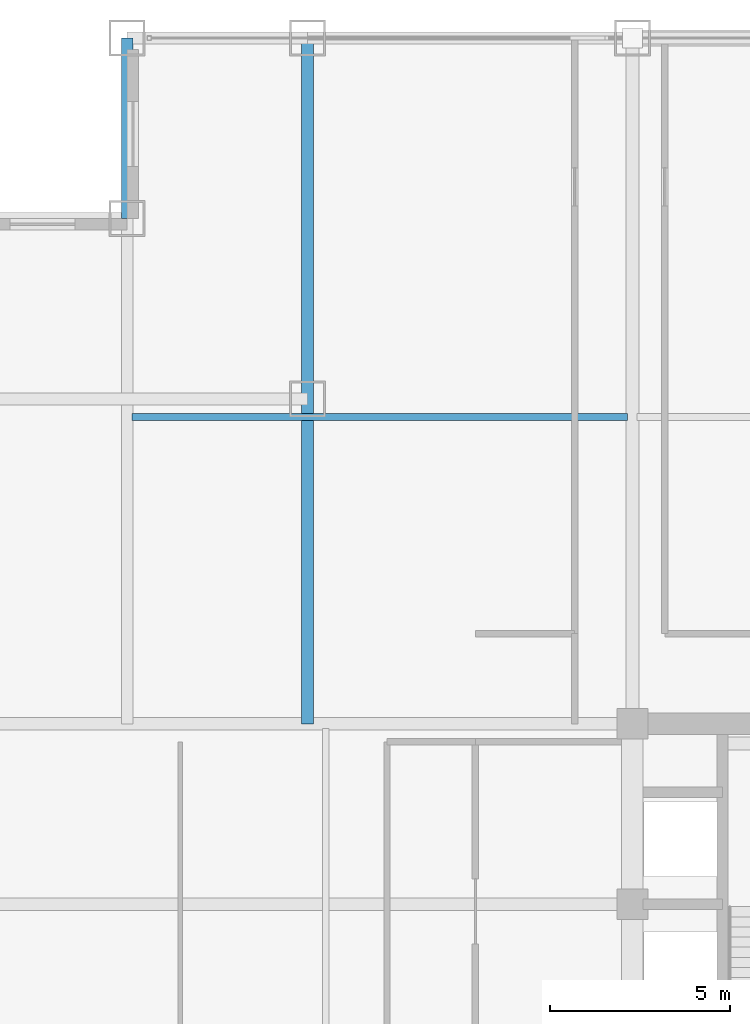
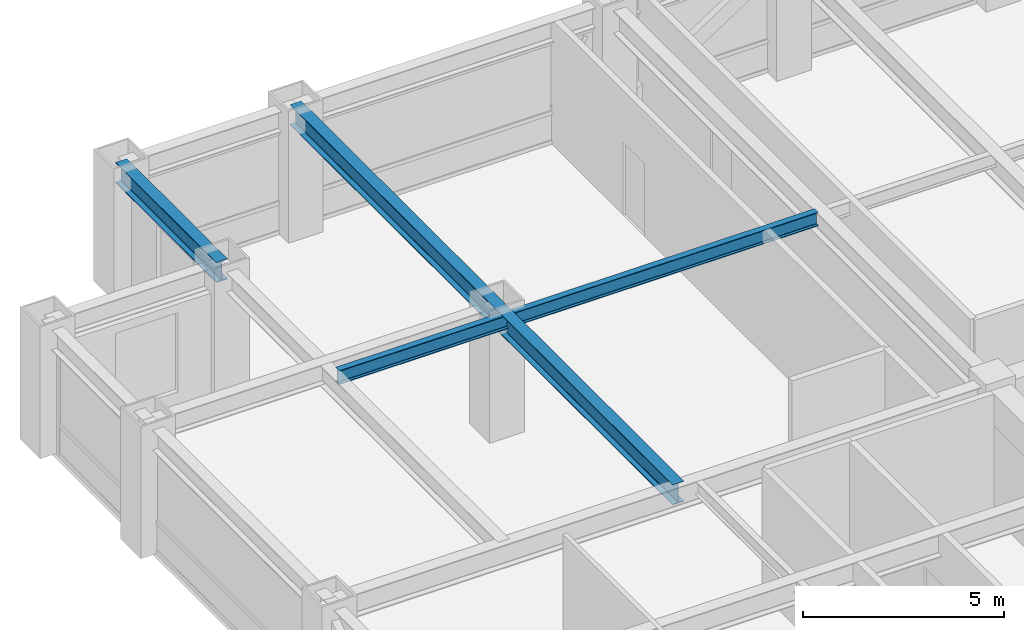
# One storey, part 13 of 24: 3 beams.
"""IFC4 building model written with IfcOpenShell, lengths in metres."""

import ifcopenshell
import ifcopenshell.guid

model = None  # the IFC model being written
_history = None  # IfcOwnerHistory: only IFC2X3 demands one
_inside = {}  # id of a spatial element -> (the spatial element, [elements in it])
_under = {}  # id of a project, library or spatial element -> (it, [spatial elements below it])
_declared = {}  # id of a project -> (the project, [libraries it declares])
_typed = {}  # id of a type object -> (the type object, [elements of that type])
_made_of = {}  # id of a material, layer set ... -> (it, [elements and type objects made of it])


def new_model(schema):
    """Start an empty IFC model of exactly this schema.

    Asked for "IFC4X3", IfcOpenShell would pick the latest addendum, in which some entities
    have other attributes; the version numbers below select the first issue.
    IFC2X3 requires an IfcOwnerHistory on every rooted entity: one is made here for all.
    """
    global model, _history
    if schema == "IFC4X3":
        model = ifcopenshell.file(schema_version=(4, 3, 0, 0))
    else:
        model = ifcopenshell.file(schema=schema)
    _inside.clear()
    _under.clear()
    _declared.clear()
    _typed.clear()
    _made_of.clear()
    _history = None
    if model.schema == "IFC2X3":
        org = make("IfcOrganization", Name="unknown")
        user = make(
            "IfcPersonAndOrganization",
            ThePerson=make("IfcPerson", FamilyName="unknown"),
            TheOrganization=org,
        )
        app = make(
            "IfcApplication",
            ApplicationDeveloper=org,
            Version="unknown",
            ApplicationFullName="unknown",
            ApplicationIdentifier="unknown",
        )
        _history = make(
            "IfcOwnerHistory",
            OwningUser=user,
            OwningApplication=app,
            ChangeAction="ADDED",
            CreationDate=0,
        )
    return model


def make(cls, **values):
    """One entity of the class cls with the attributes given. An attribute that is None is left unset."""
    return model.create_entity(
        cls, **{name: value for name, value in values.items() if value is not None}
    )


def rooted(cls, **values):
    """An entity with a GlobalId (a new one), such as an element, a storey or a relation."""
    return make(cls, GlobalId=ifcopenshell.guid.new(), OwnerHistory=_history, **values)


def si_unit(unit_type, name, prefix=None):
    """IfcSIUnit, for example si_unit("LENGTHUNIT", "METRE", prefix="MILLI")."""
    return make("IfcSIUnit", UnitType=unit_type, Prefix=prefix, Name=name)


def assignment(units):
    """IfcUnitAssignment: the units of a project."""
    return None if units is None else make("IfcUnitAssignment", Units=units)


def point(xyz):
    """IfcCartesianPoint."""
    return None if xyz is None else make("IfcCartesianPoint", Coordinates=xyz)


def direction(xyz):
    """IfcDirection."""
    return None if xyz is None else make("IfcDirection", DirectionRatios=xyz)


def frame(location, z_axis=None, x_axis=None):
    """IfcAxis2Placement3D, a coordinate frame: its origin and axes. An axis left out is left unset."""
    return make(
        "IfcAxis2Placement3D",
        Location=point(location),
        Axis=direction(z_axis),
        RefDirection=direction(x_axis),
    )


def frame_2d(location, x_axis=None):
    """IfcAxis2Placement2D, a coordinate frame in the plane: its origin and x axis."""
    return make(
        "IfcAxis2Placement2D", Location=point(location), RefDirection=direction(x_axis)
    )


def origin():
    """The frame at (0, 0, 0) with its axes left unset."""
    return frame((0.0, 0.0, 0.0))


def origin_2d():
    """The frame at (0, 0) in the plane with its x axis left unset."""
    return frame_2d((0.0, 0.0))


def place(relative_to, where):
    """IfcLocalPlacement: puts the frame where relative to a parent placement (None: the world)."""
    return make(
        "IfcLocalPlacement", PlacementRelTo=relative_to, RelativePlacement=where
    )


def context(
    kind, dimensions, precision=None, world=None, true_north=None, identifier=None
):
    """IfcGeometricRepresentationContext, for example the 3D "Model" context."""
    return make(
        "IfcGeometricRepresentationContext",
        ContextIdentifier=identifier,
        ContextType=kind,
        CoordinateSpaceDimension=dimensions,
        Precision=precision,
        WorldCoordinateSystem=world,
        TrueNorth=true_north,
    )


def subcontext(parent, identifier, kind, view, scale=None):
    """IfcGeometricRepresentationSubContext, for example "Body" below "Model"."""
    return make(
        "IfcGeometricRepresentationSubContext",
        ContextIdentifier=identifier,
        ContextType=kind,
        ParentContext=parent,
        TargetScale=scale,
        TargetView=view,
    )


def project(units=None, contexts=None):
    """IfcProject with its units and contexts."""
    return rooted(
        "IfcProject",
        Name="project",
        RepresentationContexts=contexts,
        UnitsInContext=assignment(units),
    )


def spatial(cls, under=None, at=None, **own):
    """A site, building, storey or space (cls), placed at a placement, below another one or the project."""
    s = rooted(cls, ObjectPlacement=at, **own)
    if under is not None:
        _under.setdefault(under.id(), (under, []))[1].append(s)
    return s


def profile(cls, at=None, kind="AREA", **sizes):
    """A parametric profile (cls). Its sizes go by their IFC names, for example OverallWidth=200.0."""
    return make(cls, ProfileType=kind, Position=at, **sizes)


def i_section(**sizes):
    """IfcIShapeProfileDef."""
    return profile("IfcIShapeProfileDef", **sizes)


def extrude(swept, where, along, depth):
    """IfcExtrudedAreaSolid: the profile swept, set in the frame where, extruded along a direction by depth."""
    return make(
        "IfcExtrudedAreaSolid",
        SweptArea=swept,
        Position=where,
        ExtrudedDirection=direction(along),
        Depth=depth,
    )


def shape(context_of_items, identifier, shape_type, items):
    """IfcShapeRepresentation: the items that make up one representation, for example the "Body"."""
    return make(
        "IfcShapeRepresentation",
        ContextOfItems=context_of_items,
        RepresentationIdentifier=identifier,
        RepresentationType=shape_type,
        Items=items,
    )


def source(mapping_origin, context_of_items, identifier, shape_type, items):
    """IfcRepresentationMap: a shape defined once, which mapped items show again and again."""
    return make(
        "IfcRepresentationMap",
        MappingOrigin=mapping_origin,
        MappedRepresentation=shape(context_of_items, identifier, shape_type, items),
    )


def transform(
    local_origin,
    x_axis=None,
    y_axis=None,
    z_axis=None,
    scale=None,
    scale2=None,
    scale3=None,
    uniform=True,
):
    """IfcCartesianTransformationOperator3D, or its non-uniform kind. x_axis, y_axis, z_axis: its Axis1, 2, 3."""
    if uniform:
        return make(
            "IfcCartesianTransformationOperator3D",
            Axis1=direction(x_axis),
            Axis2=direction(y_axis),
            LocalOrigin=point(local_origin),
            Scale=scale,
            Axis3=direction(z_axis),
        )
    return make(
        "IfcCartesianTransformationOperator3DnonUniform",
        Axis1=direction(x_axis),
        Axis2=direction(y_axis),
        LocalOrigin=point(local_origin),
        Scale=scale,
        Axis3=direction(z_axis),
        Scale2=scale2,
        Scale3=scale3,
    )


def mapped(mapping_source, mapping_target):
    """IfcMappedItem: shows the shape of a source again, moved by a transform."""
    return make(
        "IfcMappedItem", MappingSource=mapping_source, MappingTarget=mapping_target
    )


def material(Name=None, Category=None):
    """IfcMaterial."""
    return make("IfcMaterial", Name=Name, Category=Category)


def material_profile(
    of_material, cross_section, Name=None, Category=None, Priority=None
):
    """IfcMaterialProfile: a cross section and its material."""
    return make(
        "IfcMaterialProfile",
        Name=Name,
        Material=of_material,
        Profile=cross_section,
        Priority=Priority,
        Category=Category,
    )


def profile_set(profiles, Name=None, composite=None):
    """IfcMaterialProfileSet."""
    return make(
        "IfcMaterialProfileSet",
        Name=Name,
        MaterialProfiles=profiles,
        CompositeProfile=composite,
    )


def made_of(thing, what):
    """Note that an element or type object is made of a material, layer set ...; save() writes the relation."""
    if what is not None:
        _made_of.setdefault(what.id(), (what, []))[1].append(thing)
    return thing


def type_object(cls, material=None, **own):
    """A type object (cls), such as IfcWallType, which elements share."""
    return made_of(rooted(cls, **own), material)


def element(
    cls,
    number,
    at=None,
    inside=None,
    cuts=None,
    type_object=None,
    material=None,
    context=None,
    identifier="Body",
    shape_type=None,
    held_by="IfcProductDefinitionShape",
    body=None,
    shapes=None,
    **own,
):
    """One element of the class cls, such as IfcWall. Its Tag is "e" and its number.

    at: its placement. inside: the storey or other place that contains it. cuts: it is an
    opening in that element (IfcRelVoidsElement). A single representation is given by context,
    identifier, shape_type and body (its items); several are given by shapes. held_by: the class
    of the entity that holds the representations. save() writes the other relations.
    """
    e = rooted(cls, Tag="e%d" % number, ObjectPlacement=at, **own)
    if body is not None:
        shapes = [shape(context, identifier, shape_type, body)]
    if shapes is not None:
        e.Representation = make(held_by, Representations=shapes)
    if inside is not None:
        _inside.setdefault(inside.id(), (inside, []))[1].append(e)
    if cuts is not None:
        rooted(
            "IfcRelVoidsElement", RelatingBuildingElement=cuts, RelatedOpeningElement=e
        )
    if type_object is not None:
        _typed.setdefault(type_object.id(), (type_object, []))[1].append(e)
    return made_of(e, material)


def aggregate(whole, parts):
    """IfcRelAggregates: a whole, such as a stair, and the parts it consists of."""
    return rooted("IfcRelAggregates", RelatingObject=whole, RelatedObjects=parts)


def save(model, path):
    """Write the relations noted so far, then the file.

    IfcRelAggregates (storeys below a building ...), IfcRelContainedInSpatialStructure (elements
    in a storey), IfcRelDefinesByType, IfcRelAssociatesMaterial and IfcRelDeclares: one each for
    every whole, place, type object, material and project.
    """
    for whole, parts in _under.values():
        aggregate(whole, parts)
    for where, things in _inside.values():
        rooted(
            "IfcRelContainedInSpatialStructure",
            RelatedElements=things,
            RelatingStructure=where,
        )
    for kind, things in _typed.values():
        rooted("IfcRelDefinesByType", RelatedObjects=things, RelatingType=kind)
    for what, things in _made_of.values():
        rooted("IfcRelAssociatesMaterial", RelatedObjects=things, RelatingMaterial=what)
    for by, libraries in _declared.values():
        rooted("IfcRelDeclares", RelatingContext=by, RelatedDefinitions=libraries)
    model.write(path)


model = new_model("IFC4")

# Units and contexts
model_context = context("Model", 3, precision=1e-05, world=origin(), true_north=direction((0.0, 1.0)))
body_context = subcontext(model_context, "Body", "Model", "MODEL_VIEW")
ifc_project = project(units=[si_unit("LENGTHUNIT", "METRE"), si_unit("AREAUNIT", "SQUARE_METRE"), si_unit("VOLUMEUNIT", "CUBIC_METRE"), si_unit("PLANEANGLEUNIT", "RADIAN"), si_unit("MASSUNIT", "GRAM", prefix="KILO")], contexts=[model_context])

# Site, building, storey
site_placement = place(None, origin())
site = spatial("IfcSite", under=ifc_project, at=site_placement, CompositionType="ELEMENT")
building_placement = place(site_placement, origin())
building = spatial("IfcBuilding", under=site, at=building_placement, Name="Khorayat Bourse Tower", CompositionType="ELEMENT")
storey_placement = place(building_placement, frame((0.0, 0.0, 215.10009765625)))
storey = spatial("IfcBuildingStorey", under=building, at=storey_placement, Name="L50", CompositionType="ELEMENT", Elevation=215.10009765625)

# Beams
ifc_material = material(Name="Steel ASTM A992 Grade 50", Category="steel")
ifc_material_profile_1 = material_profile(ifc_material, i_section(OverallWidth=0.324951171875, OverallDepth=0.615966796875, WebThickness=0.013916015625, FlangeThickness=0.021484375, FilletRadius=0.01611328125, at=origin_2d()), Name="W610X174")
ifc_profile_set_1 = profile_set([ifc_material_profile_1], Name="Steel ASTM A992 Grade 50")
beam_type_1 = type_object("IfcBeamType", Name="BM-GIRD-610", PredefinedType="BEAM", material=ifc_profile_set_1)
shared_shape_1 = source(origin(), body_context, "Body", "SweptSolid", [
    extrude(i_section(OverallWidth=0.324951171875, OverallDepth=0.615966796875, WebThickness=0.013916015625, FlangeThickness=0.021484375, FilletRadius=0.01611328125, at=origin_2d()), origin(), (0.0, 0.0, 1.0), 19.0),
])
beam_1_placement = place(storey_placement, frame((-20.0, 11.0, 3.471923828125), z_axis=(0.0, 1.0, 0.0), x_axis=(-1.0, 0.0, 0.0)))
element("IfcBeam", 1, at=beam_1_placement, inside=storey, type_object=beam_type_1, Name="L50 BM-GIRD-610 BM-L50-CNRY-085", PredefinedType="BEAM", context=body_context, shape_type="MappedRepresentation", body=[
    mapped(shared_shape_1, transform((0.0, 0.0, 0.0), scale=1.0)),
])
ifc_material_profile_2 = material_profile(ifc_material, i_section(OverallWidth=0.324951171875, OverallDepth=0.615966796875, WebThickness=0.013916015625, FlangeThickness=0.021484375, FilletRadius=0.01611328125, at=origin_2d()), Name="W610X174")
ifc_profile_set_2 = profile_set([ifc_material_profile_2], Name="Steel ASTM A992 Grade 50")
beam_type_2 = type_object("IfcBeamType", Name="BM-SPAN-610", PredefinedType="SPANDREL", material=ifc_profile_set_2)
shared_shape_2 = source(origin(), body_context, "Body", "SweptSolid", [
    extrude(i_section(OverallWidth=0.324951171875, OverallDepth=0.615966796875, WebThickness=0.013916015625, FlangeThickness=0.021484375, FilletRadius=0.01611328125, at=origin_2d()), origin(), (0.0, 0.0, 1.0), 5.0),
])
beam_2_placement = place(storey_placement, frame((-25.0, 25.0, 3.471923828125), z_axis=(0.0, 1.0, 0.0), x_axis=(-1.0, 0.0, 0.0)))
element("IfcBeam", 2, at=beam_2_placement, inside=storey, type_object=beam_type_2, Name="L50 BM-SPAN-610 BM-L50-SPN-052", PredefinedType="SPANDREL", context=body_context, shape_type="MappedRepresentation", body=[
    mapped(shared_shape_2, transform((0.0, 0.0, 0.0), scale=1.0)),
])
ifc_material_profile_3 = material_profile(ifc_material, i_section(OverallWidth=0.180908203125, OverallDepth=0.4169921875, WebThickness=0.010986328125, FlangeThickness=0.018310546875, FilletRadius=0.011962890625, at=origin_2d()), Name="W410X85")
ifc_profile_set_3 = profile_set([ifc_material_profile_3], Name="Steel ASTM A992 Grade 50")
beam_type_3 = type_object("IfcBeamType", Name="BM-JOIST-410", PredefinedType="JOIST", material=ifc_profile_set_3)
shared_shape_3 = source(origin(), body_context, "Body", "SweptSolid", [
    extrude(i_section(OverallWidth=0.180908203125, OverallDepth=0.4169921875, WebThickness=0.010986328125, FlangeThickness=0.018310546875, FilletRadius=0.011962890625, at=origin_2d()), origin(), (0.0, 0.0, 1.0), 13.740234375),
])
beam_3_placement = place(storey_placement, frame((-24.8701171875, 19.5, 3.5712890625), z_axis=(1.0, 0.0, 0.0), x_axis=(0.0, 1.0, 0.0)))
element("IfcBeam", 3, at=beam_3_placement, inside=storey, type_object=beam_type_3, Name="L50 BM-JOIST-410 BM-L50-JSTX-099", PredefinedType="JOIST", context=body_context, shape_type="MappedRepresentation", body=[
    mapped(shared_shape_3, transform((0.0, 0.0, 0.0), scale=1.0)),
])

save(model, "model.ifc")
